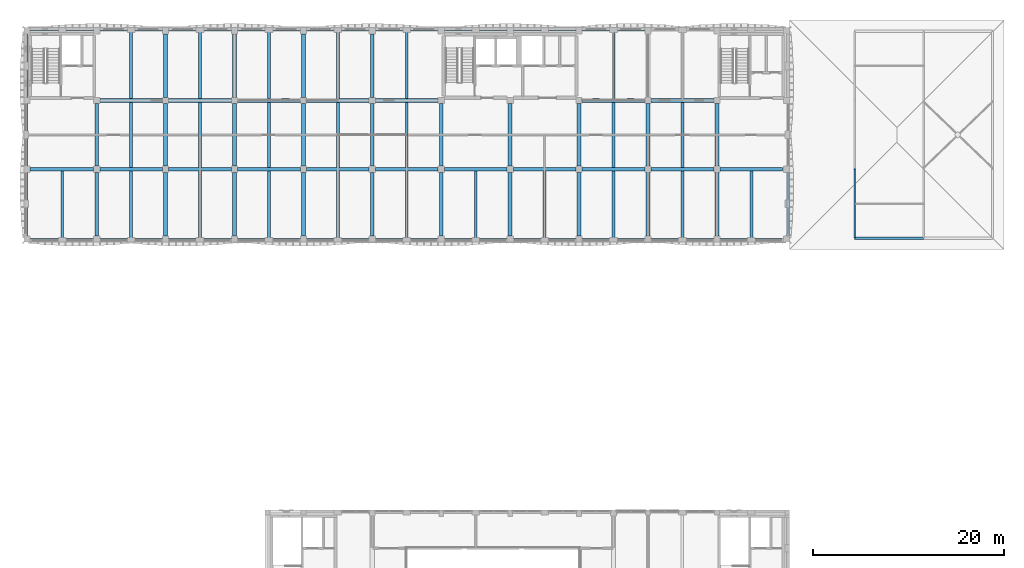
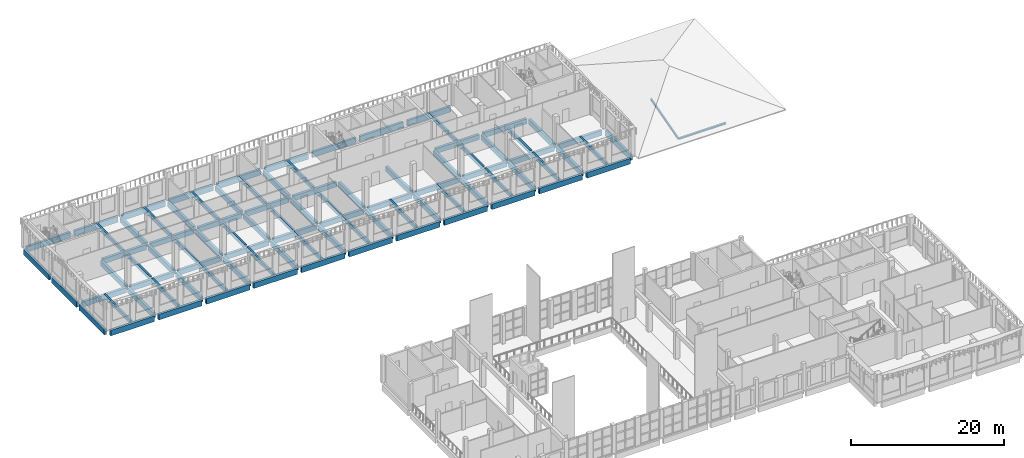
# One storey, part 12 of 54: 90 beams, 2 members.
"""IFC4 building model written with IfcOpenShell, lengths in metres."""

from ifc_helpers import new_model, si_unit, direction, frame, origin, origin_2d, place, context, subcontext, project, spatial, rectangle, i_section, extrude, material, material_profile, profile_set, type_object, element, save


model = new_model("IFC4")

# Units and contexts
model_context = context("Model", 3, precision=1e-05, world=origin(), true_north=direction((0.0, 1.0)))
body_context = subcontext(model_context, "Body", "Model", "MODEL_VIEW")
ifc_project = project(units=[si_unit("LENGTHUNIT", "METRE"), si_unit("AREAUNIT", "SQUARE_METRE"), si_unit("VOLUMEUNIT", "CUBIC_METRE"), si_unit("PLANEANGLEUNIT", "RADIAN"), si_unit("MASSUNIT", "GRAM", prefix="KILO")], contexts=[model_context])

# Site, building, storey
site_placement = place(None, origin())
site = spatial("IfcSite", under=ifc_project, at=site_placement, CompositionType="ELEMENT")
building_placement = place(site_placement, origin())
building = spatial("IfcBuilding", under=site, at=building_placement, Name="Ussher Court Research Institute", CompositionType="ELEMENT")
storey_placement = place(building_placement, frame((0.0, 0.0, 14.39990234375)))
storey = spatial("IfcBuildingStorey", under=building, at=storey_placement, Name="L03", CompositionType="ELEMENT", Elevation=14.39990234375)

# Members
ifc_material_1 = material(Name="Steel S355", Category="steel")
ifc_material_profile_1 = material_profile(ifc_material_1, i_section(OverallWidth=0.260009765625, OverallDepth=0.25, WebThickness=0.007568359375, FlangeThickness=0.012451171875, at=origin_2d()), Name="HEA 260")
ifc_profile_set_1 = profile_set([ifc_material_profile_1], Name="Steel S355")
member_type_1 = type_object("IfcMemberType", Name="HEA 260 purlin", PredefinedType="PURLIN", material=ifc_profile_set_1)
member_1_placement = place(storey_placement, frame((89.39990234375, 68.800048828125, 0.0791015625), z_axis=(1.0, 0.0, 0.0), x_axis=(0.0, 1.0, 0.0)))
element("IfcMember", 1, at=member_1_placement, inside=storey, type_object=member_type_1, Name="SP2 V3 L03-01", PredefinedType="PURLIN", context=body_context, shape_type="SweptSolid", body=[
    extrude(i_section(OverallWidth=0.260009765625, OverallDepth=0.25, WebThickness=0.007568359375, FlangeThickness=0.012451171875, at=origin_2d()), origin(), (0.0, 0.0, 1.0), 7.2001953125),
])
ifc_material_2 = material(Name="Steel S355", Category="steel")
ifc_material_profile_2 = material_profile(ifc_material_2, i_section(OverallWidth=0.169921875, OverallDepth=0.360107421875, WebThickness=0.008056640625, FlangeThickness=0.0126953125, at=origin_2d()), Name="IPE 360")
ifc_profile_set_2 = profile_set([ifc_material_profile_2], Name="Steel S355")
member_type_2 = type_object("IfcMemberType", Name="IPE 360 rafter", PredefinedType="RAFTER", material=ifc_profile_set_2)
member_2_placement = place(storey_placement, frame((89.39990234375, 68.848388671875, 0.077880859375), z_axis=(0.0, 0.963264317006, 0.268555125781), x_axis=(-1.0, 0.0, 0.0)))
element("IfcMember", 2, at=member_2_placement, inside=storey, type_object=member_type_2, Name="SR3 V3 L03-01", PredefinedType="RAFTER", context=body_context, shape_type="SweptSolid", body=[
    extrude(i_section(OverallWidth=0.169921875, OverallDepth=0.360107421875, WebThickness=0.008056640625, FlangeThickness=0.0126953125, at=origin_2d()), origin(), (0.0, 0.0, 1.0), 7.474609375),
])

# Beams
ifc_material_3 = material(Name="Concrete C35/45", Category="concrete")
ifc_material_profile_3 = material_profile(ifc_material_3, rectangle(XDim=0.300048828125, YDim=0.60009765625, at=origin_2d()), Name="RC 300x600")
ifc_profile_set_3 = profile_set([ifc_material_profile_3], Name="Concrete C35/45")
beam_type_1 = type_object("IfcBeamType", Name="RC 300x600 beam", PredefinedType="BEAM", material=ifc_profile_set_3)
for number, where, z_axis, x_axis, name in (
    (3, (6.60009765625, 68.75, -0.2998046875), (0.0, 1.0, 0.0), (-1.0, 0.0, 0.0), "B3 V5 L03-01"),
    (4, (13.800048828125, 68.75, -0.2998046875), (0.0, 1.0, 0.0), (-1.0, 0.0, 0.0), "B3 V5 L03-02"),
):
    element("IfcBeam", number, at=place(storey_placement, frame(where, z_axis=z_axis, x_axis=x_axis)), inside=storey, type_object=beam_type_1, Name=name, PredefinedType="BEAM", context=body_context, shape_type="SweptSolid", body=[
        extrude(rectangle(XDim=0.300048828125, YDim=0.60009765625, at=origin_2d()), origin(), (0.0, 0.0, 1.0), 7.050048828125),
    ])
beam_1_placement = place(storey_placement, frame((13.800048828125, 76.199951171875, -0.2998046875), z_axis=(0.0, 1.0, 0.0), x_axis=(-1.0, 0.0, 0.0)))
element("IfcBeam", 5, at=beam_1_placement, inside=storey, type_object=beam_type_1, Name="B3 V5 L03-03", PredefinedType="BEAM", context=body_context, shape_type="SweptSolid", body=[
    extrude(rectangle(XDim=0.300048828125, YDim=0.60009765625, at=origin_2d()), origin(), (0.0, 0.0, 1.0), 6.800048828125),
])
for number, where, z_axis, x_axis, name in (
    (6, (13.800048828125, 83.39990234375, -0.2998046875), (0.0, 1.0, 0.0), (-1.0, 0.0, 0.0), "B3 V5 L03-04"),
    (7, (21.0, 68.75, -0.2998046875), (0.0, 1.0, 0.0), (-1.0, 0.0, 0.0), "B3 V5 L03-05"),
):
    element("IfcBeam", number, at=place(storey_placement, frame(where, z_axis=z_axis, x_axis=x_axis)), inside=storey, type_object=beam_type_1, Name=name, PredefinedType="BEAM", context=body_context, shape_type="SweptSolid", body=[
        extrude(rectangle(XDim=0.300048828125, YDim=0.60009765625, at=origin_2d()), origin(), (0.0, 0.0, 1.0), 7.050048828125),
    ])
beam_2_placement = place(storey_placement, frame((21.0, 76.199951171875, -0.2998046875), z_axis=(0.0, 1.0, 0.0), x_axis=(-1.0, 0.0, 0.0)))
element("IfcBeam", 8, at=beam_2_placement, inside=storey, type_object=beam_type_1, Name="B3 V5 L03-06", PredefinedType="BEAM", context=body_context, shape_type="SweptSolid", body=[
    extrude(rectangle(XDim=0.300048828125, YDim=0.60009765625, at=origin_2d()), origin(), (0.0, 0.0, 1.0), 6.800048828125),
])
for number, where, z_axis, x_axis, name in (
    (9, (21.0, 83.39990234375, -0.2998046875), (0.0, 1.0, 0.0), (-1.0, 0.0, 0.0), "B3 V5 L03-07"),
    (10, (28.199951171875, 68.75, -0.2998046875), (0.0, 1.0, 0.0), (-1.0, 0.0, 0.0), "B3 V5 L03-08"),
):
    element("IfcBeam", number, at=place(storey_placement, frame(where, z_axis=z_axis, x_axis=x_axis)), inside=storey, type_object=beam_type_1, Name=name, PredefinedType="BEAM", context=body_context, shape_type="SweptSolid", body=[
        extrude(rectangle(XDim=0.300048828125, YDim=0.60009765625, at=origin_2d()), origin(), (0.0, 0.0, 1.0), 7.050048828125),
    ])
beam_3_placement = place(storey_placement, frame((28.199951171875, 76.199951171875, -0.2998046875), z_axis=(0.0, 1.0, 0.0), x_axis=(-1.0, 0.0, 0.0)))
element("IfcBeam", 11, at=beam_3_placement, inside=storey, type_object=beam_type_1, Name="B3 V5 L03-09", PredefinedType="BEAM", context=body_context, shape_type="SweptSolid", body=[
    extrude(rectangle(XDim=0.300048828125, YDim=0.60009765625, at=origin_2d()), origin(), (0.0, 0.0, 1.0), 6.800048828125),
])
for number, where, z_axis, x_axis, name in (
    (12, (28.199951171875, 83.39990234375, -0.2998046875), (0.0, 1.0, 0.0), (-1.0, 0.0, 0.0), "B3 V5 L03-10"),
    (13, (35.39990234375, 68.75, -0.2998046875), (0.0, 1.0, 0.0), (-1.0, 0.0, 0.0), "B3 V5 L03-11"),
):
    element("IfcBeam", number, at=place(storey_placement, frame(where, z_axis=z_axis, x_axis=x_axis)), inside=storey, type_object=beam_type_1, Name=name, PredefinedType="BEAM", context=body_context, shape_type="SweptSolid", body=[
        extrude(rectangle(XDim=0.300048828125, YDim=0.60009765625, at=origin_2d()), origin(), (0.0, 0.0, 1.0), 7.050048828125),
    ])
beam_4_placement = place(storey_placement, frame((35.39990234375, 76.199951171875, -0.2998046875), z_axis=(0.0, 1.0, 0.0), x_axis=(-1.0, 0.0, 0.0)))
element("IfcBeam", 14, at=beam_4_placement, inside=storey, type_object=beam_type_1, Name="B3 V5 L03-12", PredefinedType="BEAM", context=body_context, shape_type="SweptSolid", body=[
    extrude(rectangle(XDim=0.300048828125, YDim=0.60009765625, at=origin_2d()), origin(), (0.0, 0.0, 1.0), 6.800048828125),
])
for number, where, z_axis, x_axis, name in (
    (15, (35.39990234375, 83.39990234375, -0.2998046875), (0.0, 1.0, 0.0), (-1.0, 0.0, 0.0), "B3 V5 L03-13"),
    (16, (42.60009765625, 68.75, -0.2998046875), (0.0, 1.0, 0.0), (-1.0, 0.0, 0.0), "B3 V5 L03-14"),
):
    element("IfcBeam", number, at=place(storey_placement, frame(where, z_axis=z_axis, x_axis=x_axis)), inside=storey, type_object=beam_type_1, Name=name, PredefinedType="BEAM", context=body_context, shape_type="SweptSolid", body=[
        extrude(rectangle(XDim=0.300048828125, YDim=0.60009765625, at=origin_2d()), origin(), (0.0, 0.0, 1.0), 7.050048828125),
    ])
beam_5_placement = place(storey_placement, frame((42.60009765625, 76.199951171875, -0.2998046875), z_axis=(0.0, 1.0, 0.0), x_axis=(-1.0, 0.0, 0.0)))
element("IfcBeam", 17, at=beam_5_placement, inside=storey, type_object=beam_type_1, Name="B3 V5 L03-15", PredefinedType="BEAM", context=body_context, shape_type="SweptSolid", body=[
    extrude(rectangle(XDim=0.300048828125, YDim=0.60009765625, at=origin_2d()), origin(), (0.0, 0.0, 1.0), 6.800048828125),
])
for number, where, z_axis, x_axis, name in (
    (18, (42.60009765625, 83.39990234375, -0.2998046875), (0.0, 1.0, 0.0), (-1.0, 0.0, 0.0), "B3 V5 L03-16"),
    (19, (49.800048828125, 68.75, -0.2998046875), (0.0, 1.0, 0.0), (-1.0, 0.0, 0.0), "B3 V5 L03-17"),
    (20, (57.0, 68.75, -0.2998046875), (0.0, 1.0, 0.0), (-1.0, 0.0, 0.0), "B3 V5 L03-18"),
    (21, (64.199951171875, 68.75, -0.2998046875), (0.0, 1.0, 0.0), (-1.0, 0.0, 0.0), "B3 V5 L03-19"),
):
    element("IfcBeam", number, at=place(storey_placement, frame(where, z_axis=z_axis, x_axis=x_axis)), inside=storey, type_object=beam_type_1, Name=name, PredefinedType="BEAM", context=body_context, shape_type="SweptSolid", body=[
        extrude(rectangle(XDim=0.300048828125, YDim=0.60009765625, at=origin_2d()), origin(), (0.0, 0.0, 1.0), 7.050048828125),
    ])
beam_6_placement = place(storey_placement, frame((64.199951171875, 76.199951171875, -0.2998046875), z_axis=(0.0, 1.0, 0.0), x_axis=(-1.0, 0.0, 0.0)))
element("IfcBeam", 22, at=beam_6_placement, inside=storey, type_object=beam_type_1, Name="B3 V5 L03-20", PredefinedType="BEAM", context=body_context, shape_type="SweptSolid", body=[
    extrude(rectangle(XDim=0.300048828125, YDim=0.60009765625, at=origin_2d()), origin(), (0.0, 0.0, 1.0), 6.800048828125),
])
for number, where, z_axis, x_axis, name in (
    (23, (64.199951171875, 83.39990234375, -0.2998046875), (0.0, 1.0, 0.0), (-1.0, 0.0, 0.0), "B3 V5 L03-21"),
    (24, (71.39990234375, 68.75, -0.2998046875), (0.0, 1.0, 0.0), (-1.0, 0.0, 0.0), "B3 V5 L03-22"),
):
    element("IfcBeam", number, at=place(storey_placement, frame(where, z_axis=z_axis, x_axis=x_axis)), inside=storey, type_object=beam_type_1, Name=name, PredefinedType="BEAM", context=body_context, shape_type="SweptSolid", body=[
        extrude(rectangle(XDim=0.300048828125, YDim=0.60009765625, at=origin_2d()), origin(), (0.0, 0.0, 1.0), 7.050048828125),
    ])
beam_7_placement = place(storey_placement, frame((71.39990234375, 76.199951171875, -0.2998046875), z_axis=(0.0, 1.0, 0.0), x_axis=(-1.0, 0.0, 0.0)))
element("IfcBeam", 25, at=beam_7_placement, inside=storey, type_object=beam_type_1, Name="B3 V5 L03-23", PredefinedType="BEAM", context=body_context, shape_type="SweptSolid", body=[
    extrude(rectangle(XDim=0.300048828125, YDim=0.60009765625, at=origin_2d()), origin(), (0.0, 0.0, 1.0), 6.800048828125),
])
beam_8_placement = place(storey_placement, frame((78.60009765625, 68.75, -0.2998046875), z_axis=(0.0, 1.0, 0.0), x_axis=(-1.0, 0.0, 0.0)))
element("IfcBeam", 26, at=beam_8_placement, inside=storey, type_object=beam_type_1, Name="B3 V5 L03-25", PredefinedType="BEAM", context=body_context, shape_type="SweptSolid", body=[
    extrude(rectangle(XDim=0.300048828125, YDim=0.60009765625, at=origin_2d()), origin(), (0.0, 0.0, 1.0), 7.050048828125),
])
ifc_material_4 = material(Name="Concrete C35/45", Category="concrete")
ifc_material_profile_4 = material_profile(ifc_material_4, rectangle(XDim=0.35009765625, YDim=0.89990234375, at=origin_2d()), Name="RC 350x900")
ifc_profile_set_4 = profile_set([ifc_material_profile_4], Name="Concrete C35/45")
beam_type_2 = type_object("IfcBeamType", Name="RC 350x900 beam", PredefinedType="BEAM", material=ifc_profile_set_4)
beam_9_placement = place(storey_placement, frame((3.25, 68.574951171875, -0.64990234375), z_axis=(1.0, 0.0, 0.0), x_axis=(0.0, 1.0, 0.0)))
element("IfcBeam", 27, at=beam_9_placement, inside=storey, type_object=beam_type_2, Name="SB1 V5 L03-01", PredefinedType="BEAM", context=body_context, shape_type="SweptSolid", body=[
    extrude(rectangle(XDim=0.35009765625, YDim=0.89990234375, at=origin_2d()), origin(), (0.0, 0.0, 1.0), 6.625),
])
beam_10_placement = place(storey_placement, frame((10.52490234375, 68.574951171875, -0.64990234375), z_axis=(1.0, 0.0, 0.0), x_axis=(0.0, 1.0, 0.0)))
element("IfcBeam", 28, at=beam_10_placement, inside=storey, type_object=beam_type_2, Name="SB1 V5 L03-02", PredefinedType="BEAM", context=body_context, shape_type="SweptSolid", body=[
    extrude(rectangle(XDim=0.35009765625, YDim=0.89990234375, at=origin_2d()), origin(), (0.0, 0.0, 1.0), 6.550048828125),
])
beam_11_placement = place(storey_placement, frame((17.72509765625, 68.574951171875, -0.64990234375), z_axis=(1.0, 0.0, 0.0), x_axis=(0.0, 1.0, 0.0)))
element("IfcBeam", 29, at=beam_11_placement, inside=storey, type_object=beam_type_2, Name="SB1 V5 L03-03", PredefinedType="BEAM", context=body_context, shape_type="SweptSolid", body=[
    extrude(rectangle(XDim=0.35009765625, YDim=0.89990234375, at=origin_2d()), origin(), (0.0, 0.0, 1.0), 6.5498046875),
])
for number, where, z_axis, x_axis, name in (
    (30, (24.925048828125, 68.574951171875, -0.64990234375), (1.0, 0.0, 0.0), (0.0, 1.0, 0.0), "SB1 V5 L03-04"),
    (31, (32.125, 68.574951171875, -0.64990234375), (1.0, 0.0, 0.0), (0.0, 1.0, 0.0), "SB1 V5 L03-05"),
    (32, (39.324951171875, 68.574951171875, -0.64990234375), (1.0, 0.0, 0.0), (0.0, 1.0, 0.0), "SB1 V5 L03-06"),
    (33, (46.52490234375, 68.574951171875, -0.64990234375), (1.0, 0.0, 0.0), (0.0, 1.0, 0.0), "SB1 V5 L03-07"),
):
    element("IfcBeam", number, at=place(storey_placement, frame(where, z_axis=z_axis, x_axis=x_axis)), inside=storey, type_object=beam_type_2, Name=name, PredefinedType="BEAM", context=body_context, shape_type="SweptSolid", body=[
        extrude(rectangle(XDim=0.35009765625, YDim=0.89990234375, at=origin_2d()), origin(), (0.0, 0.0, 1.0), 6.550048828125),
    ])
beam_12_placement = place(storey_placement, frame((53.72509765625, 68.574951171875, -0.64990234375), z_axis=(1.0, 0.0, 0.0), x_axis=(0.0, 1.0, 0.0)))
element("IfcBeam", 34, at=beam_12_placement, inside=storey, type_object=beam_type_2, Name="SB1 V5 L03-08", PredefinedType="BEAM", context=body_context, shape_type="SweptSolid", body=[
    extrude(rectangle(XDim=0.35009765625, YDim=0.89990234375, at=origin_2d()), origin(), (0.0, 0.0, 1.0), 6.5498046875),
])
for number, where, z_axis, x_axis, name in (
    (35, (60.925048828125, 68.574951171875, -0.64990234375), (1.0, 0.0, 0.0), (0.0, 1.0, 0.0), "SB1 V5 L03-09"),
    (36, (68.125, 68.574951171875, -0.64990234375), (1.0, 0.0, 0.0), (0.0, 1.0, 0.0), "SB1 V5 L03-10"),
    (37, (75.324951171875, 68.574951171875, -0.64990234375), (1.0, 0.0, 0.0), (0.0, 1.0, 0.0), "SB1 V5 L03-11"),
):
    element("IfcBeam", number, at=place(storey_placement, frame(where, z_axis=z_axis, x_axis=x_axis)), inside=storey, type_object=beam_type_2, Name=name, PredefinedType="BEAM", context=body_context, shape_type="SweptSolid", body=[
        extrude(rectangle(XDim=0.35009765625, YDim=0.89990234375, at=origin_2d()), origin(), (0.0, 0.0, 1.0), 6.550048828125),
    ])
beam_13_placement = place(storey_placement, frame((3.25, 90.625, -0.64990234375), z_axis=(1.0, 0.0, 0.0), x_axis=(0.0, 1.0, 0.0)))
element("IfcBeam", 38, at=beam_13_placement, inside=storey, type_object=beam_type_2, Name="SB1 V5 L03-12", PredefinedType="BEAM", context=body_context, shape_type="SweptSolid", body=[
    extrude(rectangle(XDim=0.35009765625, YDim=0.89990234375, at=origin_2d()), origin(), (0.0, 0.0, 1.0), 6.625),
])
beam_14_placement = place(storey_placement, frame((10.52490234375, 90.625, -0.64990234375), z_axis=(1.0, 0.0, 0.0), x_axis=(0.0, 1.0, 0.0)))
element("IfcBeam", 39, at=beam_14_placement, inside=storey, type_object=beam_type_2, Name="SB1 V5 L03-13", PredefinedType="BEAM", context=body_context, shape_type="SweptSolid", body=[
    extrude(rectangle(XDim=0.35009765625, YDim=0.89990234375, at=origin_2d()), origin(), (0.0, 0.0, 1.0), 6.550048828125),
])
beam_15_placement = place(storey_placement, frame((17.72509765625, 90.625, -0.64990234375), z_axis=(1.0, 0.0, 0.0), x_axis=(0.0, 1.0, 0.0)))
element("IfcBeam", 40, at=beam_15_placement, inside=storey, type_object=beam_type_2, Name="SB1 V5 L03-14", PredefinedType="BEAM", context=body_context, shape_type="SweptSolid", body=[
    extrude(rectangle(XDim=0.35009765625, YDim=0.89990234375, at=origin_2d()), origin(), (0.0, 0.0, 1.0), 6.5498046875),
])
for number, where, z_axis, x_axis, name in (
    (41, (24.925048828125, 90.625, -0.64990234375), (1.0, 0.0, 0.0), (0.0, 1.0, 0.0), "SB1 V5 L03-15"),
    (42, (32.125, 90.625, -0.64990234375), (1.0, 0.0, 0.0), (0.0, 1.0, 0.0), "SB1 V5 L03-16"),
    (43, (39.324951171875, 90.625, -0.64990234375), (1.0, 0.0, 0.0), (0.0, 1.0, 0.0), "SB1 V5 L03-17"),
    (44, (46.52490234375, 90.625, -0.64990234375), (1.0, 0.0, 0.0), (0.0, 1.0, 0.0), "SB1 V5 L03-18"),
):
    element("IfcBeam", number, at=place(storey_placement, frame(where, z_axis=z_axis, x_axis=x_axis)), inside=storey, type_object=beam_type_2, Name=name, PredefinedType="BEAM", context=body_context, shape_type="SweptSolid", body=[
        extrude(rectangle(XDim=0.35009765625, YDim=0.89990234375, at=origin_2d()), origin(), (0.0, 0.0, 1.0), 6.550048828125),
    ])
beam_16_placement = place(storey_placement, frame((53.72509765625, 90.625, -0.64990234375), z_axis=(1.0, 0.0, 0.0), x_axis=(0.0, 1.0, 0.0)))
element("IfcBeam", 45, at=beam_16_placement, inside=storey, type_object=beam_type_2, Name="SB1 V5 L03-19", PredefinedType="BEAM", context=body_context, shape_type="SweptSolid", body=[
    extrude(rectangle(XDim=0.35009765625, YDim=0.89990234375, at=origin_2d()), origin(), (0.0, 0.0, 1.0), 6.5498046875),
])
beam_17_placement = place(storey_placement, frame((60.925048828125, 90.625, -0.64990234375), z_axis=(1.0, 0.0, 0.0), x_axis=(0.0, 1.0, 0.0)))
element("IfcBeam", 46, at=beam_17_placement, inside=storey, type_object=beam_type_2, Name="SB1 V5 L03-20", PredefinedType="BEAM", context=body_context, shape_type="SweptSolid", body=[
    extrude(rectangle(XDim=0.35009765625, YDim=0.89990234375, at=origin_2d()), origin(), (0.0, 0.0, 1.0), 6.550048828125),
])
beam_18_placement = place(storey_placement, frame((2.77490234375, 69.050048828125, -0.64990234375), z_axis=(0.0, 1.0, 0.0), x_axis=(-1.0, 0.0, 0.0)))
element("IfcBeam", 47, at=beam_18_placement, inside=storey, type_object=beam_type_2, Name="SB1 V5 L03-23", PredefinedType="BEAM", context=body_context, shape_type="SweptSolid", body=[
    extrude(rectangle(XDim=0.35009765625, YDim=0.89990234375, at=origin_2d()), origin(), (0.0, 0.0, 1.0), 6.625),
])
beam_19_placement = place(storey_placement, frame((2.77490234375, 76.324951171875, -0.64990234375), z_axis=(0.0, 1.0, 0.0), x_axis=(-1.0, 0.0, 0.0)))
element("IfcBeam", 48, at=beam_19_placement, inside=storey, type_object=beam_type_2, Name="SB1 V5 L03-24", PredefinedType="BEAM", context=body_context, shape_type="SweptSolid", body=[
    extrude(rectangle(XDim=0.35009765625, YDim=0.89990234375, at=origin_2d()), origin(), (0.0, 0.0, 1.0), 6.550048828125),
])
for number, where, z_axis, x_axis, name in (
    (49, (2.77490234375, 83.52490234375, -0.64990234375), (0.0, 1.0, 0.0), (-1.0, 0.0, 0.0), "SB1 V5 L03-25"),
    (50, (82.425048828125, 69.050048828125, -0.64990234375), (0.0, 1.0, 0.0), (-1.0, 0.0, 0.0), "SB1 V5 L03-26"),
):
    element("IfcBeam", number, at=place(storey_placement, frame(where, z_axis=z_axis, x_axis=x_axis)), inside=storey, type_object=beam_type_2, Name=name, PredefinedType="BEAM", context=body_context, shape_type="SweptSolid", body=[
        extrude(rectangle(XDim=0.35009765625, YDim=0.89990234375, at=origin_2d()), origin(), (0.0, 0.0, 1.0), 6.625),
    ])
ifc_material_5 = material(Name="Concrete C35/45", Category="concrete")
ifc_material_profile_5 = material_profile(ifc_material_5, rectangle(XDim=0.39990234375, YDim=0.800048828125, at=origin_2d()), Name="RC 400x800")
ifc_profile_set_5 = profile_set([ifc_material_profile_5], Name="Concrete C35/45")
beam_type_3 = type_object("IfcBeamType", Name="RC 400x800 beam", PredefinedType="BEAM", material=ifc_profile_set_5)
beam_20_placement = place(storey_placement, frame((3.25, 76.0, -0.599853515625), z_axis=(1.0, 0.0, 0.0), x_axis=(0.0, 1.0, 0.0)))
element("IfcBeam", 51, at=beam_20_placement, inside=storey, type_object=beam_type_3, Name="B17 V5 L03-01", PredefinedType="BEAM", context=body_context, shape_type="SweptSolid", body=[
    extrude(rectangle(XDim=0.39990234375, YDim=0.800048828125, at=origin_2d()), origin(), (0.0, 0.0, 1.0), 6.625),
])
beam_21_placement = place(storey_placement, frame((10.52490234375, 76.0, -0.599853515625), z_axis=(1.0, 0.0, 0.0), x_axis=(0.0, 1.0, 0.0)))
element("IfcBeam", 52, at=beam_21_placement, inside=storey, type_object=beam_type_3, Name="B17 V5 L03-02", PredefinedType="BEAM", context=body_context, shape_type="SweptSolid", body=[
    extrude(rectangle(XDim=0.39990234375, YDim=0.800048828125, at=origin_2d()), origin(), (0.0, 0.0, 1.0), 6.550048828125),
])
beam_22_placement = place(storey_placement, frame((17.72509765625, 76.0, -0.599853515625), z_axis=(1.0, 0.0, 0.0), x_axis=(0.0, 1.0, 0.0)))
element("IfcBeam", 53, at=beam_22_placement, inside=storey, type_object=beam_type_3, Name="B17 V5 L03-03", PredefinedType="BEAM", context=body_context, shape_type="SweptSolid", body=[
    extrude(rectangle(XDim=0.39990234375, YDim=0.800048828125, at=origin_2d()), origin(), (0.0, 0.0, 1.0), 6.5498046875),
])
for number, where, z_axis, x_axis, name in (
    (54, (24.925048828125, 76.0, -0.599853515625), (1.0, 0.0, 0.0), (0.0, 1.0, 0.0), "B17 V5 L03-04"),
    (55, (32.125, 76.0, -0.599853515625), (1.0, 0.0, 0.0), (0.0, 1.0, 0.0), "B17 V5 L03-05"),
    (56, (39.324951171875, 76.0, -0.599853515625), (1.0, 0.0, 0.0), (0.0, 1.0, 0.0), "B17 V5 L03-06"),
    (57, (46.52490234375, 76.0, -0.599853515625), (1.0, 0.0, 0.0), (0.0, 1.0, 0.0), "B17 V5 L03-07"),
):
    element("IfcBeam", number, at=place(storey_placement, frame(where, z_axis=z_axis, x_axis=x_axis)), inside=storey, type_object=beam_type_3, Name=name, PredefinedType="BEAM", context=body_context, shape_type="SweptSolid", body=[
        extrude(rectangle(XDim=0.39990234375, YDim=0.800048828125, at=origin_2d()), origin(), (0.0, 0.0, 1.0), 6.550048828125),
    ])
beam_23_placement = place(storey_placement, frame((53.72509765625, 76.0, -0.599853515625), z_axis=(1.0, 0.0, 0.0), x_axis=(0.0, 1.0, 0.0)))
element("IfcBeam", 58, at=beam_23_placement, inside=storey, type_object=beam_type_3, Name="B17 V5 L03-08", PredefinedType="BEAM", context=body_context, shape_type="SweptSolid", body=[
    extrude(rectangle(XDim=0.39990234375, YDim=0.800048828125, at=origin_2d()), origin(), (0.0, 0.0, 1.0), 6.5498046875),
])
for number, where, z_axis, x_axis, name in (
    (59, (60.925048828125, 76.0, -0.599853515625), (1.0, 0.0, 0.0), (0.0, 1.0, 0.0), "B17 V5 L03-09"),
    (60, (68.125, 76.0, -0.599853515625), (1.0, 0.0, 0.0), (0.0, 1.0, 0.0), "B17 V5 L03-10"),
    (61, (75.324951171875, 76.0, -0.599853515625), (1.0, 0.0, 0.0), (0.0, 1.0, 0.0), "B17 V5 L03-11"),
    (62, (10.52490234375, 83.199951171875, -0.599853515625), (1.0, 0.0, 0.0), (0.0, 1.0, 0.0), "B17 V5 L03-12"),
):
    element("IfcBeam", number, at=place(storey_placement, frame(where, z_axis=z_axis, x_axis=x_axis)), inside=storey, type_object=beam_type_3, Name=name, PredefinedType="BEAM", context=body_context, shape_type="SweptSolid", body=[
        extrude(rectangle(XDim=0.39990234375, YDim=0.800048828125, at=origin_2d()), origin(), (0.0, 0.0, 1.0), 6.550048828125),
    ])
beam_24_placement = place(storey_placement, frame((17.72509765625, 83.199951171875, -0.599853515625), z_axis=(1.0, 0.0, 0.0), x_axis=(0.0, 1.0, 0.0)))
element("IfcBeam", 63, at=beam_24_placement, inside=storey, type_object=beam_type_3, Name="B17 V5 L03-13", PredefinedType="BEAM", context=body_context, shape_type="SweptSolid", body=[
    extrude(rectangle(XDim=0.39990234375, YDim=0.800048828125, at=origin_2d()), origin(), (0.0, 0.0, 1.0), 6.5498046875),
])
for number, where, z_axis, x_axis, name in (
    (64, (24.925048828125, 83.199951171875, -0.599853515625), (1.0, 0.0, 0.0), (0.0, 1.0, 0.0), "B17 V5 L03-14"),
    (65, (32.125, 83.199951171875, -0.599853515625), (1.0, 0.0, 0.0), (0.0, 1.0, 0.0), "B17 V5 L03-15"),
    (66, (39.324951171875, 83.199951171875, -0.599853515625), (1.0, 0.0, 0.0), (0.0, 1.0, 0.0), "B17 V5 L03-16"),
    (67, (60.925048828125, 83.199951171875, -0.599853515625), (1.0, 0.0, 0.0), (0.0, 1.0, 0.0), "B17 V5 L03-17"),
    (68, (68.125, 83.199951171875, -0.599853515625), (1.0, 0.0, 0.0), (0.0, 1.0, 0.0), "B17 V5 L03-18"),
):
    element("IfcBeam", number, at=place(storey_placement, frame(where, z_axis=z_axis, x_axis=x_axis)), inside=storey, type_object=beam_type_3, Name=name, PredefinedType="BEAM", context=body_context, shape_type="SweptSolid", body=[
        extrude(rectangle(XDim=0.39990234375, YDim=0.800048828125, at=origin_2d()), origin(), (0.0, 0.0, 1.0), 6.550048828125),
    ])
beam_25_placement = place(storey_placement, frame((10.199951171875, 69.050048828125, -0.599853515625), z_axis=(0.0, 1.0, 0.0), x_axis=(-1.0, 0.0, 0.0)))
element("IfcBeam", 69, at=beam_25_placement, inside=storey, type_object=beam_type_3, Name="B17 V5 L03-19", PredefinedType="BEAM", context=body_context, shape_type="SweptSolid", body=[
    extrude(rectangle(XDim=0.39990234375, YDim=0.800048828125, at=origin_2d()), origin(), (0.0, 0.0, 1.0), 6.625),
])
beam_26_placement = place(storey_placement, frame((10.199951171875, 76.324951171875, -0.599853515625), z_axis=(0.0, 1.0, 0.0), x_axis=(-1.0, 0.0, 0.0)))
element("IfcBeam", 70, at=beam_26_placement, inside=storey, type_object=beam_type_3, Name="B17 V5 L03-20", PredefinedType="BEAM", context=body_context, shape_type="SweptSolid", body=[
    extrude(rectangle(XDim=0.39990234375, YDim=0.800048828125, at=origin_2d()), origin(), (0.0, 0.0, 1.0), 6.550048828125),
])
beam_27_placement = place(storey_placement, frame((17.39990234375, 69.050048828125, -0.599853515625), z_axis=(0.0, 1.0, 0.0), x_axis=(-1.0, 0.0, 0.0)))
element("IfcBeam", 71, at=beam_27_placement, inside=storey, type_object=beam_type_3, Name="B17 V5 L03-21", PredefinedType="BEAM", context=body_context, shape_type="SweptSolid", body=[
    extrude(rectangle(XDim=0.39990234375, YDim=0.800048828125, at=origin_2d()), origin(), (0.0, 0.0, 1.0), 6.625),
])
beam_28_placement = place(storey_placement, frame((17.39990234375, 76.324951171875, -0.599853515625), z_axis=(0.0, 1.0, 0.0), x_axis=(-1.0, 0.0, 0.0)))
element("IfcBeam", 72, at=beam_28_placement, inside=storey, type_object=beam_type_3, Name="B17 V5 L03-22", PredefinedType="BEAM", context=body_context, shape_type="SweptSolid", body=[
    extrude(rectangle(XDim=0.39990234375, YDim=0.800048828125, at=origin_2d()), origin(), (0.0, 0.0, 1.0), 6.550048828125),
])
for number, where, z_axis, x_axis, name in (
    (73, (17.39990234375, 83.52490234375, -0.599853515625), (0.0, 1.0, 0.0), (-1.0, 0.0, 0.0), "B17 V5 L03-23"),
    (74, (24.60009765625, 69.050048828125, -0.599853515625), (0.0, 1.0, 0.0), (-1.0, 0.0, 0.0), "B17 V5 L03-24"),
):
    element("IfcBeam", number, at=place(storey_placement, frame(where, z_axis=z_axis, x_axis=x_axis)), inside=storey, type_object=beam_type_3, Name=name, PredefinedType="BEAM", context=body_context, shape_type="SweptSolid", body=[
        extrude(rectangle(XDim=0.39990234375, YDim=0.800048828125, at=origin_2d()), origin(), (0.0, 0.0, 1.0), 6.625),
    ])
beam_29_placement = place(storey_placement, frame((24.60009765625, 76.324951171875, -0.599853515625), z_axis=(0.0, 1.0, 0.0), x_axis=(-1.0, 0.0, 0.0)))
element("IfcBeam", 75, at=beam_29_placement, inside=storey, type_object=beam_type_3, Name="B17 V5 L03-25", PredefinedType="BEAM", context=body_context, shape_type="SweptSolid", body=[
    extrude(rectangle(XDim=0.39990234375, YDim=0.800048828125, at=origin_2d()), origin(), (0.0, 0.0, 1.0), 6.550048828125),
])
for number, where, z_axis, x_axis, name in (
    (76, (24.60009765625, 83.52490234375, -0.599853515625), (0.0, 1.0, 0.0), (-1.0, 0.0, 0.0), "B17 V5 L03-26"),
    (77, (31.800048828125, 69.050048828125, -0.599853515625), (0.0, 1.0, 0.0), (-1.0, 0.0, 0.0), "B17 V5 L03-27"),
):
    element("IfcBeam", number, at=place(storey_placement, frame(where, z_axis=z_axis, x_axis=x_axis)), inside=storey, type_object=beam_type_3, Name=name, PredefinedType="BEAM", context=body_context, shape_type="SweptSolid", body=[
        extrude(rectangle(XDim=0.39990234375, YDim=0.800048828125, at=origin_2d()), origin(), (0.0, 0.0, 1.0), 6.625),
    ])
beam_30_placement = place(storey_placement, frame((31.800048828125, 76.324951171875, -0.599853515625), z_axis=(0.0, 1.0, 0.0), x_axis=(-1.0, 0.0, 0.0)))
element("IfcBeam", 78, at=beam_30_placement, inside=storey, type_object=beam_type_3, Name="B17 V5 L03-28", PredefinedType="BEAM", context=body_context, shape_type="SweptSolid", body=[
    extrude(rectangle(XDim=0.39990234375, YDim=0.800048828125, at=origin_2d()), origin(), (0.0, 0.0, 1.0), 6.550048828125),
])
for number, where, z_axis, x_axis, name in (
    (79, (31.800048828125, 83.52490234375, -0.599853515625), (0.0, 1.0, 0.0), (-1.0, 0.0, 0.0), "B17 V5 L03-29"),
    (80, (39.0, 69.050048828125, -0.599853515625), (0.0, 1.0, 0.0), (-1.0, 0.0, 0.0), "B17 V5 L03-30"),
):
    element("IfcBeam", number, at=place(storey_placement, frame(where, z_axis=z_axis, x_axis=x_axis)), inside=storey, type_object=beam_type_3, Name=name, PredefinedType="BEAM", context=body_context, shape_type="SweptSolid", body=[
        extrude(rectangle(XDim=0.39990234375, YDim=0.800048828125, at=origin_2d()), origin(), (0.0, 0.0, 1.0), 6.625),
    ])
beam_31_placement = place(storey_placement, frame((39.0, 76.324951171875, -0.599853515625), z_axis=(0.0, 1.0, 0.0), x_axis=(-1.0, 0.0, 0.0)))
element("IfcBeam", 81, at=beam_31_placement, inside=storey, type_object=beam_type_3, Name="B17 V5 L03-31", PredefinedType="BEAM", context=body_context, shape_type="SweptSolid", body=[
    extrude(rectangle(XDim=0.39990234375, YDim=0.800048828125, at=origin_2d()), origin(), (0.0, 0.0, 1.0), 6.550048828125),
])
for number, where, z_axis, x_axis, name in (
    (82, (39.0, 83.52490234375, -0.599853515625), (0.0, 1.0, 0.0), (-1.0, 0.0, 0.0), "B17 V5 L03-32"),
    (83, (46.199951171875, 69.050048828125, -0.599853515625), (0.0, 1.0, 0.0), (-1.0, 0.0, 0.0), "B17 V5 L03-33"),
):
    element("IfcBeam", number, at=place(storey_placement, frame(where, z_axis=z_axis, x_axis=x_axis)), inside=storey, type_object=beam_type_3, Name=name, PredefinedType="BEAM", context=body_context, shape_type="SweptSolid", body=[
        extrude(rectangle(XDim=0.39990234375, YDim=0.800048828125, at=origin_2d()), origin(), (0.0, 0.0, 1.0), 6.625),
    ])
beam_32_placement = place(storey_placement, frame((46.199951171875, 76.324951171875, -0.599853515625), z_axis=(0.0, 1.0, 0.0), x_axis=(-1.0, 0.0, 0.0)))
element("IfcBeam", 84, at=beam_32_placement, inside=storey, type_object=beam_type_3, Name="B17 V5 L03-34", PredefinedType="BEAM", context=body_context, shape_type="SweptSolid", body=[
    extrude(rectangle(XDim=0.39990234375, YDim=0.800048828125, at=origin_2d()), origin(), (0.0, 0.0, 1.0), 6.550048828125),
])
beam_33_placement = place(storey_placement, frame((53.39990234375, 69.050048828125, -0.599853515625), z_axis=(0.0, 1.0, 0.0), x_axis=(-1.0, 0.0, 0.0)))
element("IfcBeam", 85, at=beam_33_placement, inside=storey, type_object=beam_type_3, Name="B17 V5 L03-35", PredefinedType="BEAM", context=body_context, shape_type="SweptSolid", body=[
    extrude(rectangle(XDim=0.39990234375, YDim=0.800048828125, at=origin_2d()), origin(), (0.0, 0.0, 1.0), 6.625),
])
beam_34_placement = place(storey_placement, frame((53.39990234375, 76.324951171875, -0.599853515625), z_axis=(0.0, 1.0, 0.0), x_axis=(-1.0, 0.0, 0.0)))
element("IfcBeam", 86, at=beam_34_placement, inside=storey, type_object=beam_type_3, Name="B17 V5 L03-36", PredefinedType="BEAM", context=body_context, shape_type="SweptSolid", body=[
    extrude(rectangle(XDim=0.39990234375, YDim=0.800048828125, at=origin_2d()), origin(), (0.0, 0.0, 1.0), 6.550048828125),
])
beam_35_placement = place(storey_placement, frame((60.60009765625, 69.050048828125, -0.599853515625), z_axis=(0.0, 1.0, 0.0), x_axis=(-1.0, 0.0, 0.0)))
element("IfcBeam", 87, at=beam_35_placement, inside=storey, type_object=beam_type_3, Name="B17 V5 L03-37", PredefinedType="BEAM", context=body_context, shape_type="SweptSolid", body=[
    extrude(rectangle(XDim=0.39990234375, YDim=0.800048828125, at=origin_2d()), origin(), (0.0, 0.0, 1.0), 6.625),
])
beam_36_placement = place(storey_placement, frame((60.60009765625, 76.324951171875, -0.599853515625), z_axis=(0.0, 1.0, 0.0), x_axis=(-1.0, 0.0, 0.0)))
element("IfcBeam", 88, at=beam_36_placement, inside=storey, type_object=beam_type_3, Name="B17 V5 L03-38", PredefinedType="BEAM", context=body_context, shape_type="SweptSolid", body=[
    extrude(rectangle(XDim=0.39990234375, YDim=0.800048828125, at=origin_2d()), origin(), (0.0, 0.0, 1.0), 6.550048828125),
])
beam_37_placement = place(storey_placement, frame((67.800048828125, 69.050048828125, -0.599853515625), z_axis=(0.0, 1.0, 0.0), x_axis=(-1.0, 0.0, 0.0)))
element("IfcBeam", 89, at=beam_37_placement, inside=storey, type_object=beam_type_3, Name="B17 V5 L03-39", PredefinedType="BEAM", context=body_context, shape_type="SweptSolid", body=[
    extrude(rectangle(XDim=0.39990234375, YDim=0.800048828125, at=origin_2d()), origin(), (0.0, 0.0, 1.0), 6.625),
])
beam_38_placement = place(storey_placement, frame((67.800048828125, 76.324951171875, -0.599853515625), z_axis=(0.0, 1.0, 0.0), x_axis=(-1.0, 0.0, 0.0)))
element("IfcBeam", 90, at=beam_38_placement, inside=storey, type_object=beam_type_3, Name="B17 V5 L03-40", PredefinedType="BEAM", context=body_context, shape_type="SweptSolid", body=[
    extrude(rectangle(XDim=0.39990234375, YDim=0.800048828125, at=origin_2d()), origin(), (0.0, 0.0, 1.0), 6.550048828125),
])
beam_39_placement = place(storey_placement, frame((75.0, 69.050048828125, -0.599853515625), z_axis=(0.0, 1.0, 0.0), x_axis=(-1.0, 0.0, 0.0)))
element("IfcBeam", 91, at=beam_39_placement, inside=storey, type_object=beam_type_3, Name="B17 V5 L03-42", PredefinedType="BEAM", context=body_context, shape_type="SweptSolid", body=[
    extrude(rectangle(XDim=0.39990234375, YDim=0.800048828125, at=origin_2d()), origin(), (0.0, 0.0, 1.0), 6.625),
])
beam_40_placement = place(storey_placement, frame((75.0, 76.324951171875, -0.599853515625), z_axis=(0.0, 1.0, 0.0), x_axis=(-1.0, 0.0, 0.0)))
element("IfcBeam", 92, at=beam_40_placement, inside=storey, type_object=beam_type_3, Name="B17 V5 L03-43", PredefinedType="BEAM", context=body_context, shape_type="SweptSolid", body=[
    extrude(rectangle(XDim=0.39990234375, YDim=0.800048828125, at=origin_2d()), origin(), (0.0, 0.0, 1.0), 6.550048828125),
])

save(model, "model.ifc")
